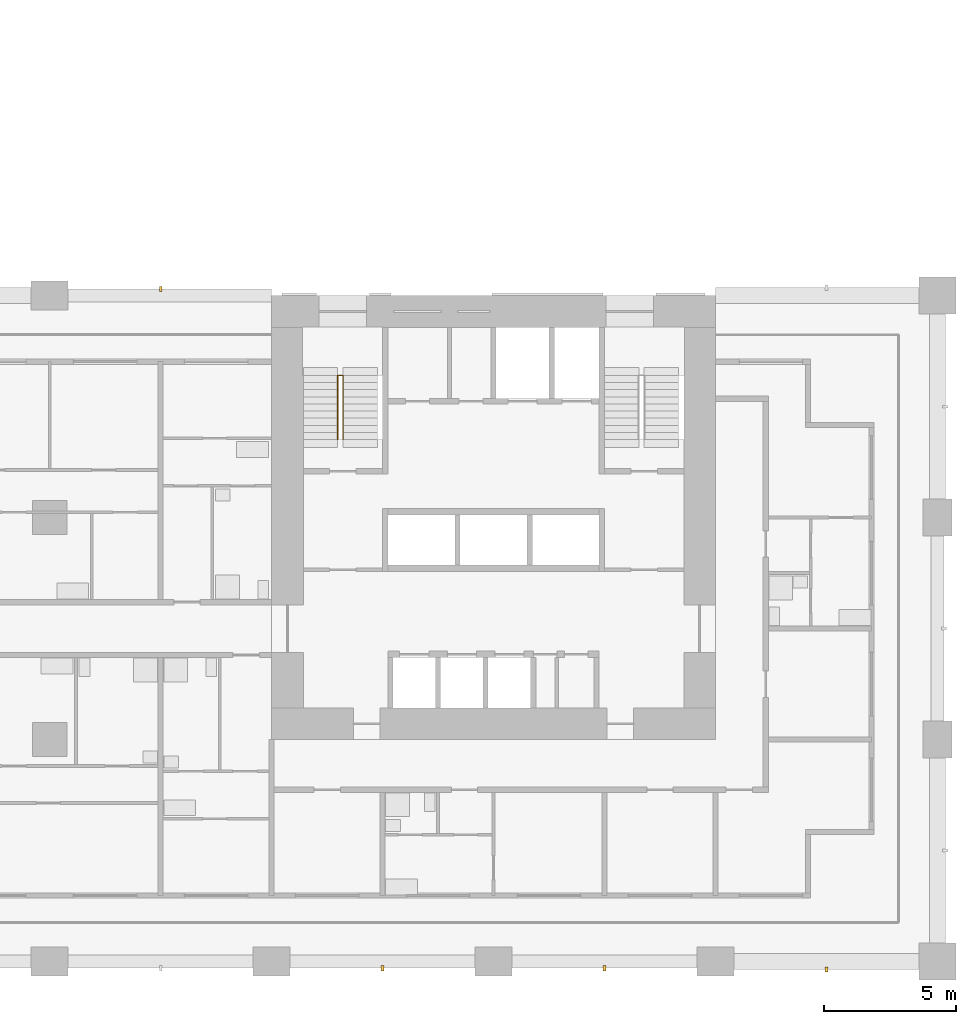
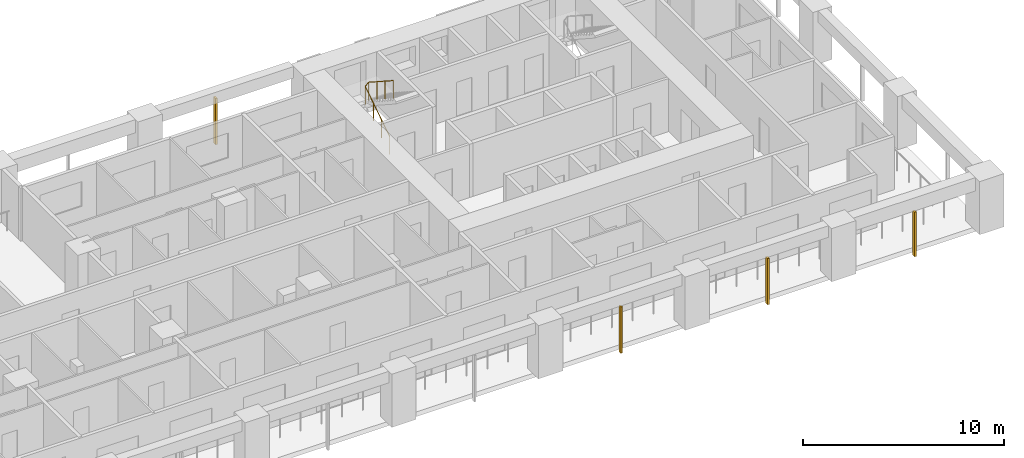
# One storey, part 13 of 19: 4 shading devices, 1 railing.
"""IFC4 building model written with IfcOpenShell, lengths in metres."""

from ifc_helpers import new_model, si_unit, direction, frame, origin, origin_2d, place, context, subcontext, project, spatial, rectangle, circle, extrude, material, material_profile, profile_set, type_object, element, save


model = new_model("IFC4")

# Units and contexts
model_context = context("Model", 3, precision=1e-05, world=origin(), true_north=direction((0.0, 1.0)))
body_context = subcontext(model_context, "Body", "Model", "MODEL_VIEW")
ifc_project = project(units=[si_unit("LENGTHUNIT", "METRE"), si_unit("AREAUNIT", "SQUARE_METRE"), si_unit("VOLUMEUNIT", "CUBIC_METRE"), si_unit("PLANEANGLEUNIT", "RADIAN"), si_unit("MASSUNIT", "GRAM", prefix="KILO")], contexts=[model_context])

# Site, building, storey
site_placement = place(None, origin())
site = spatial("IfcSite", under=ifc_project, at=site_placement, CompositionType="ELEMENT")
building_placement = place(site_placement, origin())
building = spatial("IfcBuilding", under=site, at=building_placement, Name="Vermilion Gate Residences", CompositionType="ELEMENT")
storey_placement = place(building_placement, frame((0.0, 0.0, 53.199951171875)))
storey = spatial("IfcBuildingStorey", under=building, at=storey_placement, Name="L12", CompositionType="ELEMENT", Elevation=53.199951171875)

# Railing
ifc_material_1 = material(Name="Steel S355", Category="steel")
railing_type = type_object("IfcRailingType", Name="STAIR GUARD 1100 STEEL", PredefinedType="GUARDRAIL", material=ifc_material_1)
railing_placement = place(storey_placement, frame((44.5, 19.75, 0.175048828125)))
element("IfcRailing", 1, at=railing_placement, inside=storey, type_object=railing_type, Name="Stair well guard STA1-12", PredefinedType="GUARDRAIL", context=body_context, shape_type="SweptSolid", body=[
    extrude(circle(Radius=0.02392578125, at=origin_2d()), frame((0.0, 0.0, 1.076171875), z_axis=(0.0, 0.839153699163, 0.543894354798), x_axis=(-1.0, 0.0, 0.0)), (0.0, 0.0, 1.0), 2.895751953125),
    extrude(circle(Radius=0.02392578125, at=origin_2d()), frame((0.0, 2.429931640625, 2.65087890625), z_axis=(0.752405939678, 0.0, 0.658699705433), x_axis=(0.0, 1.0, 0.0)), (0.0, 0.0, 1.0), 0.265869140625),
    extrude(circle(Radius=0.02392578125, at=origin_2d()), frame((0.199951171875, 2.429931640625, 2.826171875), z_axis=(0.0, -0.839153699163, 0.543894354798), x_axis=(1.0, 0.0, 0.0)), (0.0, 0.0, 1.0), 2.895751953125),
    extrude(circle(Radius=0.02099609375, at=origin_2d()), origin(), (0.0, 0.0, 1.0), 1.052001953125),
    extrude(circle(Radius=0.02099609375, at=origin_2d()), frame((0.0, 0.81005859375, 0.52490234375)), (0.0, 0.0, 1.0), 1.052001953125),
    extrude(circle(Radius=0.02099609375, at=origin_2d()), frame((0.0, 1.619873046875, 1.050048828125)), (0.0, 0.0, 1.0), 1.052001953125),
    extrude(circle(Radius=0.02099609375, at=origin_2d()), frame((0.0, 2.429931640625, 1.574951171875)), (0.0, 0.0, 1.0), 1.052001953125),
    extrude(circle(Radius=0.02099609375, at=origin_2d()), frame((0.199951171875, 2.429931640625, 1.75)), (0.0, 0.0, 1.0), 1.052001953125),
    extrude(circle(Radius=0.02099609375, at=origin_2d()), frame((0.199951171875, 1.619873046875, 2.27490234375)), (0.0, 0.0, 1.0), 1.052001953125),
    extrude(circle(Radius=0.02099609375, at=origin_2d()), frame((0.199951171875, 0.81005859375, 2.800048828125)), (0.0, 0.0, 1.0), 1.052001953125),
    extrude(circle(Radius=0.02099609375, at=origin_2d()), frame((0.199951171875, 0.0, 3.324951171875)), (0.0, 0.0, 1.0), 1.052001953125),
])

# Shading devices
ifc_material_2 = material(Name="Extruded terracotta", Category="masonry")
ifc_material_profile = material_profile(ifc_material_2, rectangle(XDim=0.199951171875, YDim=0.10009765625, at=origin_2d()), Name="BAGUETTE 100 X 200")
ifc_profile_set = profile_set([ifc_material_profile], Name="Extruded terracotta")
shading_device_type = type_object("IfcShadingDeviceType", Name="TERRACOTTA BAGUETTE 100 X 200", PredefinedType="JALOUSIE", material=ifc_profile_set)
for number, where, z_axis, x_axis, name in (
    (2, (46.199951171875, -0.25, -0.280029296875), (0.0, 0.0, 1.0), (0.0, 1.0, 0.0), "BAGUETTE"),
    (3, (54.60009765625, -0.25, -0.280029296875), (0.0, 0.0, 1.0), (0.0, 1.0, 0.0), "BAGUETTE"),
):
    element("IfcShadingDevice", number, at=place(storey_placement, frame(where, z_axis=z_axis, x_axis=x_axis)), inside=storey, type_object=shading_device_type, Name=name, PredefinedType="JALOUSIE", context=body_context, shape_type="SweptSolid", body=[
        extrude(rectangle(XDim=0.199951171875, YDim=0.10009765625, at=origin_2d()), origin(), (0.0, 0.0, 1.0), 2.800048828125),
    ])
shading_device_1_placement = place(storey_placement, frame((63.0, -0.300048828125, -0.280029296875), z_axis=(0.0, 0.0, 1.0), x_axis=(0.0, 1.0, 0.0)))
element("IfcShadingDevice", 4, at=shading_device_1_placement, inside=storey, type_object=shading_device_type, Name="BAGUETTE", PredefinedType="JALOUSIE", context=body_context, shape_type="SweptSolid", body=[
    extrude(rectangle(XDim=0.199951171875, YDim=0.10009765625, at=origin_2d()), origin(), (0.0, 0.0, 1.0), 2.7001953125),
])
shading_device_2_placement = place(storey_placement, frame((37.800048828125, 25.449951171875, -0.280029296875), z_axis=(0.0, 0.0, 1.0), x_axis=(0.0, -1.0, 0.0)))
element("IfcShadingDevice", 5, at=shading_device_2_placement, inside=storey, type_object=shading_device_type, Name="BAGUETTE", PredefinedType="JALOUSIE", context=body_context, shape_type="SweptSolid", body=[
    extrude(rectangle(XDim=0.199951171875, YDim=0.10009765625, at=origin_2d()), origin(), (0.0, 0.0, 1.0), 2.800048828125),
])

save(model, "model.ifc")
